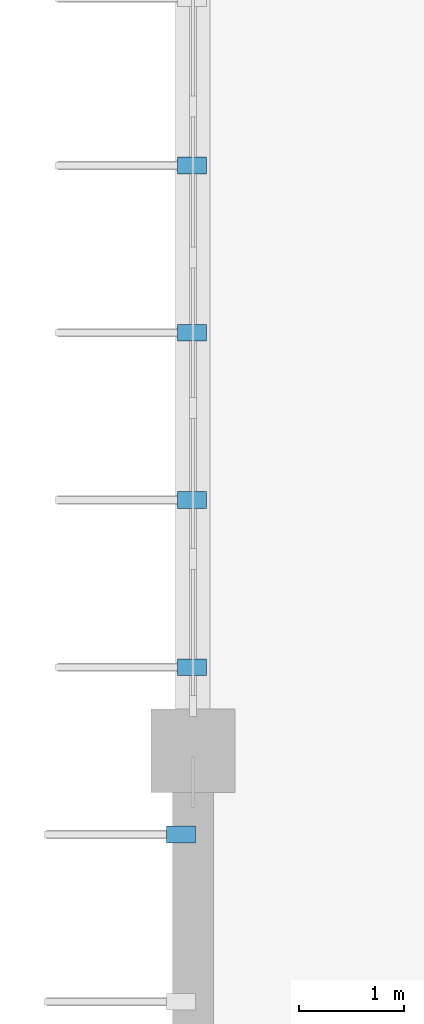
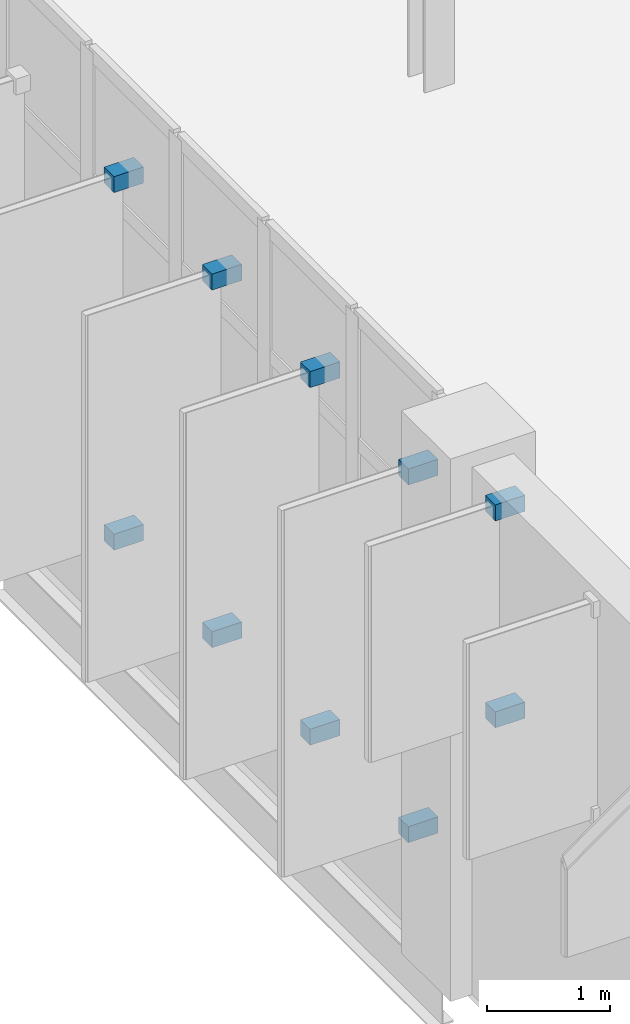
# One storey, part 88 of 103: 10 discrete accessories.
"""IFC4 building model written with IfcOpenShell, lengths in metres."""

from ifc_helpers import new_model, si_unit, direction, frame, origin, origin_2d, place, context, subcontext, project, spatial, rectangle, extrude, material, type_object, element, save


model = new_model("IFC4")

# Units and contexts
model_context = context("Model", 3, precision=1e-05, world=origin(), true_north=direction((0.0, 1.0)))
body_context = subcontext(model_context, "Body", "Model", "MODEL_VIEW")
ifc_project = project(units=[si_unit("LENGTHUNIT", "METRE"), si_unit("AREAUNIT", "SQUARE_METRE"), si_unit("VOLUMEUNIT", "CUBIC_METRE"), si_unit("PLANEANGLEUNIT", "RADIAN"), si_unit("MASSUNIT", "GRAM", prefix="KILO")], contexts=[model_context])

# Site, building, storey
site_placement = place(None, origin())
site = spatial("IfcSite", under=ifc_project, at=site_placement, CompositionType="ELEMENT")
building_placement = place(site_placement, origin())
building = spatial("IfcBuilding", under=site, at=building_placement, Name="Drelvana Railside Aquatics Centre", CompositionType="ELEMENT")
storey_placement = place(building_placement, origin())
storey = spatial("IfcBuildingStorey", under=building, at=storey_placement, Name="L00", CompositionType="ELEMENT", Elevation=0.0)

# Discrete accessories
ifc_material = material(Name="Stainless steel 316 facade bracket", Category="steel")
discrete_accessory_type = type_object("IfcDiscreteAccessoryType", Name="ACC-BRACKET-FIN", PredefinedType="BRACKET", material=ifc_material)
for number, where, z_axis, x_axis, name in (
    (1, (-0.114990234375, 55.199951171875, 2.96484375), (0.0, 0.0, 1.0), (-1.0, 0.0, 0.0), "Shading fin bracket BK-0471"),
    (2, (-0.114990234375, 55.199951171875, 5.02490234375), (0.0, 0.0, 1.0), (-1.0, 0.0, 0.0), "Shading fin bracket BK-0472"),
    (3, (-0.010009765625, 56.800048828125, 0.81494140625), (0.0, 0.0, 1.0), (-1.0, 0.0, 0.0), "Shading fin bracket BK-0503"),
    (4, (-0.010009765625, 56.800048828125, 4.375), (0.0, 0.0, 1.0), (-1.0, 0.0, 0.0), "Shading fin bracket BK-0504"),
    (5, (-0.010009765625, 58.39990234375, 0.81494140625), (0.0, 0.0, 1.0), (-1.0, 0.0, 0.0), "Shading fin bracket BK-0505"),
    (6, (-0.010009765625, 58.39990234375, 4.375), (0.0, 0.0, 1.0), (-1.0, 0.0, 0.0), "Shading fin bracket BK-0506"),
    (7, (-0.010009765625, 60.0, 0.81494140625), (0.0, 0.0, 1.0), (-1.0, 0.0, 0.0), "Shading fin bracket BK-0507"),
    (8, (-0.010009765625, 60.0, 4.375), (0.0, 0.0, 1.0), (-1.0, 0.0, 0.0), "Shading fin bracket BK-0508"),
    (9, (-0.010009765625, 61.60009765625, 0.81494140625), (0.0, 0.0, 1.0), (-1.0, 0.0, 0.0), "Shading fin bracket BK-0509"),
    (10, (-0.010009765625, 61.60009765625, 4.375), (0.0, 0.0, 1.0), (-1.0, 0.0, 0.0), "Shading fin bracket BK-0510"),
):
    element("IfcDiscreteAccessory", number, at=place(storey_placement, frame(where, z_axis=z_axis, x_axis=x_axis)), inside=storey, type_object=discrete_accessory_type, Name=name, PredefinedType="BRACKET", context=body_context, shape_type="SweptSolid", body=[
        extrude(rectangle(XDim=0.280029296875, YDim=0.159912109375, at=origin_2d()), origin(), (0.0, 0.0, 1.0), 0.159912109375),
    ])

save(model, "model.ifc")
